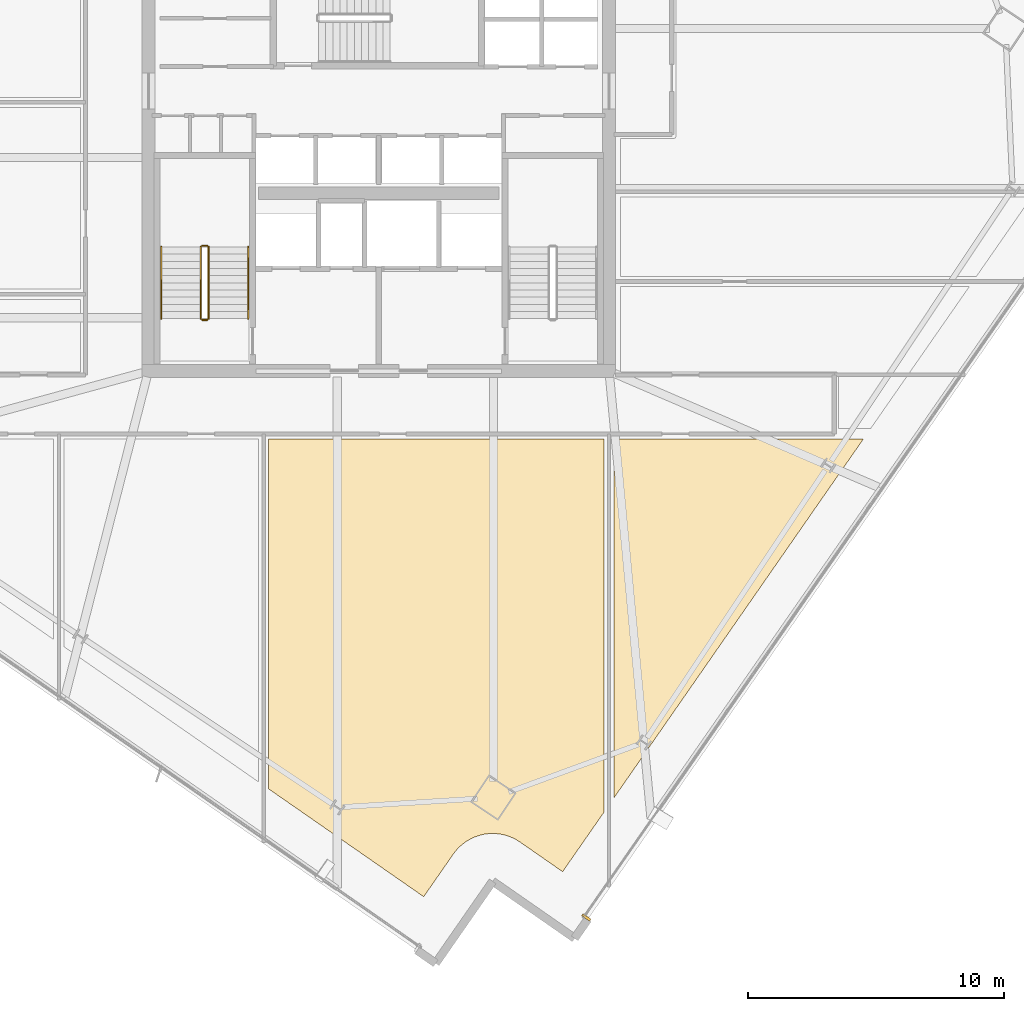
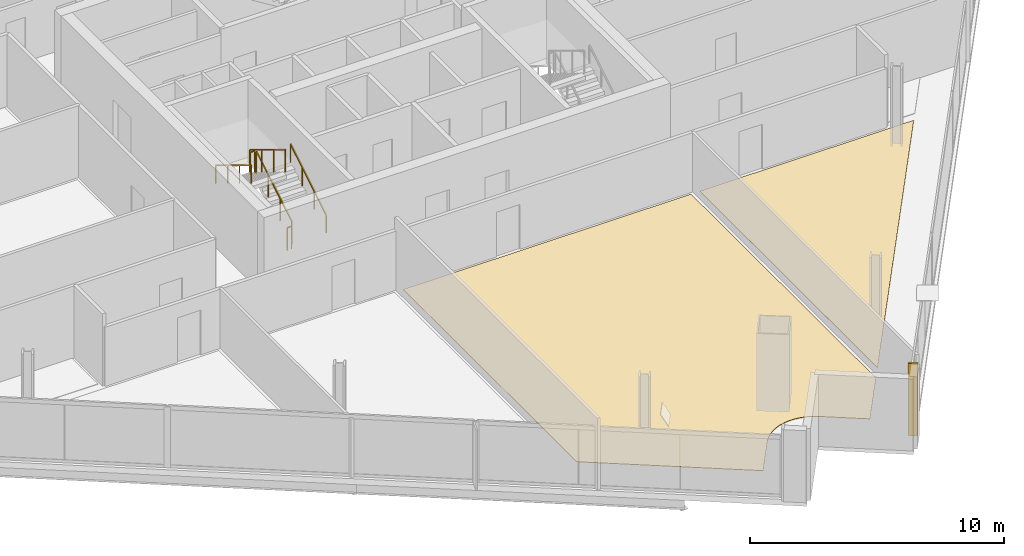
# One storey, part 27 of 30: 6 railings, 3 coverings.
"""IFC4 building model written with IfcOpenShell, lengths in metres."""

import ifcopenshell
import ifcopenshell.guid

model = None  # the IFC model being written
_history = None  # IfcOwnerHistory: only IFC2X3 demands one
_inside = {}  # id of a spatial element -> (the spatial element, [elements in it])
_under = {}  # id of a project, library or spatial element -> (it, [spatial elements below it])
_declared = {}  # id of a project -> (the project, [libraries it declares])
_typed = {}  # id of a type object -> (the type object, [elements of that type])
_made_of = {}  # id of a material, layer set ... -> (it, [elements and type objects made of it])


def new_model(schema):
    """Start an empty IFC model of exactly this schema.

    Asked for "IFC4X3", IfcOpenShell would pick the latest addendum, in which some entities
    have other attributes; the version numbers below select the first issue.
    IFC2X3 requires an IfcOwnerHistory on every rooted entity: one is made here for all.
    """
    global model, _history
    if schema == "IFC4X3":
        model = ifcopenshell.file(schema_version=(4, 3, 0, 0))
    else:
        model = ifcopenshell.file(schema=schema)
    _inside.clear()
    _under.clear()
    _declared.clear()
    _typed.clear()
    _made_of.clear()
    _history = None
    if model.schema == "IFC2X3":
        org = make("IfcOrganization", Name="unknown")
        user = make(
            "IfcPersonAndOrganization",
            ThePerson=make("IfcPerson", FamilyName="unknown"),
            TheOrganization=org,
        )
        app = make(
            "IfcApplication",
            ApplicationDeveloper=org,
            Version="unknown",
            ApplicationFullName="unknown",
            ApplicationIdentifier="unknown",
        )
        _history = make(
            "IfcOwnerHistory",
            OwningUser=user,
            OwningApplication=app,
            ChangeAction="ADDED",
            CreationDate=0,
        )
    return model


def make(cls, **values):
    """One entity of the class cls with the attributes given. An attribute that is None is left unset."""
    return model.create_entity(
        cls, **{name: value for name, value in values.items() if value is not None}
    )


def rooted(cls, **values):
    """An entity with a GlobalId (a new one), such as an element, a storey or a relation."""
    return make(cls, GlobalId=ifcopenshell.guid.new(), OwnerHistory=_history, **values)


def si_unit(unit_type, name, prefix=None):
    """IfcSIUnit, for example si_unit("LENGTHUNIT", "METRE", prefix="MILLI")."""
    return make("IfcSIUnit", UnitType=unit_type, Prefix=prefix, Name=name)


def assignment(units):
    """IfcUnitAssignment: the units of a project."""
    return None if units is None else make("IfcUnitAssignment", Units=units)


def point(xyz):
    """IfcCartesianPoint."""
    return None if xyz is None else make("IfcCartesianPoint", Coordinates=xyz)


def direction(xyz):
    """IfcDirection."""
    return None if xyz is None else make("IfcDirection", DirectionRatios=xyz)


def frame(location, z_axis=None, x_axis=None):
    """IfcAxis2Placement3D, a coordinate frame: its origin and axes. An axis left out is left unset."""
    return make(
        "IfcAxis2Placement3D",
        Location=point(location),
        Axis=direction(z_axis),
        RefDirection=direction(x_axis),
    )


def frame_2d(location, x_axis=None):
    """IfcAxis2Placement2D, a coordinate frame in the plane: its origin and x axis."""
    return make(
        "IfcAxis2Placement2D", Location=point(location), RefDirection=direction(x_axis)
    )


def origin():
    """The frame at (0, 0, 0) with its axes left unset."""
    return frame((0.0, 0.0, 0.0))


def origin_2d():
    """The frame at (0, 0) in the plane with its x axis left unset."""
    return frame_2d((0.0, 0.0))


def place(relative_to, where):
    """IfcLocalPlacement: puts the frame where relative to a parent placement (None: the world)."""
    return make(
        "IfcLocalPlacement", PlacementRelTo=relative_to, RelativePlacement=where
    )


def context(
    kind, dimensions, precision=None, world=None, true_north=None, identifier=None
):
    """IfcGeometricRepresentationContext, for example the 3D "Model" context."""
    return make(
        "IfcGeometricRepresentationContext",
        ContextIdentifier=identifier,
        ContextType=kind,
        CoordinateSpaceDimension=dimensions,
        Precision=precision,
        WorldCoordinateSystem=world,
        TrueNorth=true_north,
    )


def subcontext(parent, identifier, kind, view, scale=None):
    """IfcGeometricRepresentationSubContext, for example "Body" below "Model"."""
    return make(
        "IfcGeometricRepresentationSubContext",
        ContextIdentifier=identifier,
        ContextType=kind,
        ParentContext=parent,
        TargetScale=scale,
        TargetView=view,
    )


def project(units=None, contexts=None):
    """IfcProject with its units and contexts."""
    return rooted(
        "IfcProject",
        Name="project",
        RepresentationContexts=contexts,
        UnitsInContext=assignment(units),
    )


def spatial(cls, under=None, at=None, **own):
    """A site, building, storey or space (cls), placed at a placement, below another one or the project."""
    s = rooted(cls, ObjectPlacement=at, **own)
    if under is not None:
        _under.setdefault(under.id(), (under, []))[1].append(s)
    return s


def polyline(points):
    """IfcPolyline through the points."""
    return make("IfcPolyline", Points=[point(p) for p in points])


def profile(cls, at=None, kind="AREA", **sizes):
    """A parametric profile (cls). Its sizes go by their IFC names, for example OverallWidth=200.0."""
    return make(cls, ProfileType=kind, Position=at, **sizes)


def rectangle(**sizes):
    """IfcRectangleProfileDef."""
    return profile("IfcRectangleProfileDef", **sizes)


def outline(outer, holes=None, kind="AREA"):
    """IfcArbitraryClosedProfileDef: a profile drawn as a closed curve; with holes, ...WithVoids."""
    if holes is None:
        return make("IfcArbitraryClosedProfileDef", ProfileType=kind, OuterCurve=outer)
    return make(
        "IfcArbitraryProfileDefWithVoids",
        ProfileType=kind,
        OuterCurve=outer,
        InnerCurves=holes,
    )


def extrude(swept, where, along, depth):
    """IfcExtrudedAreaSolid: the profile swept, set in the frame where, extruded along a direction by depth."""
    return make(
        "IfcExtrudedAreaSolid",
        SweptArea=swept,
        Position=where,
        ExtrudedDirection=direction(along),
        Depth=depth,
    )


def shape(context_of_items, identifier, shape_type, items):
    """IfcShapeRepresentation: the items that make up one representation, for example the "Body"."""
    return make(
        "IfcShapeRepresentation",
        ContextOfItems=context_of_items,
        RepresentationIdentifier=identifier,
        RepresentationType=shape_type,
        Items=items,
    )


def source(mapping_origin, context_of_items, identifier, shape_type, items):
    """IfcRepresentationMap: a shape defined once, which mapped items show again and again."""
    return make(
        "IfcRepresentationMap",
        MappingOrigin=mapping_origin,
        MappedRepresentation=shape(context_of_items, identifier, shape_type, items),
    )


def transform(
    local_origin,
    x_axis=None,
    y_axis=None,
    z_axis=None,
    scale=None,
    scale2=None,
    scale3=None,
    uniform=True,
):
    """IfcCartesianTransformationOperator3D, or its non-uniform kind. x_axis, y_axis, z_axis: its Axis1, 2, 3."""
    if uniform:
        return make(
            "IfcCartesianTransformationOperator3D",
            Axis1=direction(x_axis),
            Axis2=direction(y_axis),
            LocalOrigin=point(local_origin),
            Scale=scale,
            Axis3=direction(z_axis),
        )
    return make(
        "IfcCartesianTransformationOperator3DnonUniform",
        Axis1=direction(x_axis),
        Axis2=direction(y_axis),
        LocalOrigin=point(local_origin),
        Scale=scale,
        Axis3=direction(z_axis),
        Scale2=scale2,
        Scale3=scale3,
    )


def mapped(mapping_source, mapping_target):
    """IfcMappedItem: shows the shape of a source again, moved by a transform."""
    return make(
        "IfcMappedItem", MappingSource=mapping_source, MappingTarget=mapping_target
    )


def material(Name=None, Category=None):
    """IfcMaterial."""
    return make("IfcMaterial", Name=Name, Category=Category)


def layer(
    of_material, thickness, ventilated=None, Name=None, Category=None, Priority=None
):
    """IfcMaterialLayer: one layer of a wall or slab, of a material (None: an air gap)."""
    return make(
        "IfcMaterialLayer",
        Material=of_material,
        LayerThickness=thickness,
        IsVentilated=ventilated,
        Name=Name,
        Category=Category,
        Priority=Priority,
    )


def layer_set(layers, Name=None):
    """IfcMaterialLayerSet."""
    return make("IfcMaterialLayerSet", MaterialLayers=layers, LayerSetName=Name)


def made_of(thing, what):
    """Note that an element or type object is made of a material, layer set ...; save() writes the relation."""
    if what is not None:
        _made_of.setdefault(what.id(), (what, []))[1].append(thing)
    return thing


def type_object(cls, material=None, **own):
    """A type object (cls), such as IfcWallType, which elements share."""
    return made_of(rooted(cls, **own), material)


def element(
    cls,
    number,
    at=None,
    inside=None,
    cuts=None,
    type_object=None,
    material=None,
    context=None,
    identifier="Body",
    shape_type=None,
    held_by="IfcProductDefinitionShape",
    body=None,
    shapes=None,
    **own,
):
    """One element of the class cls, such as IfcWall. Its Tag is "e" and its number.

    at: its placement. inside: the storey or other place that contains it. cuts: it is an
    opening in that element (IfcRelVoidsElement). A single representation is given by context,
    identifier, shape_type and body (its items); several are given by shapes. held_by: the class
    of the entity that holds the representations. save() writes the other relations.
    """
    e = rooted(cls, Tag="e%d" % number, ObjectPlacement=at, **own)
    if body is not None:
        shapes = [shape(context, identifier, shape_type, body)]
    if shapes is not None:
        e.Representation = make(held_by, Representations=shapes)
    if inside is not None:
        _inside.setdefault(inside.id(), (inside, []))[1].append(e)
    if cuts is not None:
        rooted(
            "IfcRelVoidsElement", RelatingBuildingElement=cuts, RelatedOpeningElement=e
        )
    if type_object is not None:
        _typed.setdefault(type_object.id(), (type_object, []))[1].append(e)
    return made_of(e, material)


def aggregate(whole, parts):
    """IfcRelAggregates: a whole, such as a stair, and the parts it consists of."""
    return rooted("IfcRelAggregates", RelatingObject=whole, RelatedObjects=parts)


def save(model, path):
    """Write the relations noted so far, then the file.

    IfcRelAggregates (storeys below a building ...), IfcRelContainedInSpatialStructure (elements
    in a storey), IfcRelDefinesByType, IfcRelAssociatesMaterial and IfcRelDeclares: one each for
    every whole, place, type object, material and project.
    """
    for whole, parts in _under.values():
        aggregate(whole, parts)
    for where, things in _inside.values():
        rooted(
            "IfcRelContainedInSpatialStructure",
            RelatedElements=things,
            RelatingStructure=where,
        )
    for kind, things in _typed.values():
        rooted("IfcRelDefinesByType", RelatedObjects=things, RelatingType=kind)
    for what, things in _made_of.values():
        rooted("IfcRelAssociatesMaterial", RelatedObjects=things, RelatingMaterial=what)
    for by, libraries in _declared.values():
        rooted("IfcRelDeclares", RelatingContext=by, RelatedDefinitions=libraries)
    model.write(path)


model = new_model("IFC4")

# Units and contexts
model_context = context("Model", 3, precision=1e-05, world=origin(), true_north=direction((0.0, 1.0)))
body_context = subcontext(model_context, "Body", "Model", "MODEL_VIEW")
ifc_project = project(units=[si_unit("LENGTHUNIT", "METRE"), si_unit("AREAUNIT", "SQUARE_METRE"), si_unit("VOLUMEUNIT", "CUBIC_METRE"), si_unit("PLANEANGLEUNIT", "RADIAN"), si_unit("MASSUNIT", "GRAM", prefix="KILO")], contexts=[model_context])

# Site, building, storey
site_placement = place(None, origin())
site = spatial("IfcSite", under=ifc_project, at=site_placement, CompositionType="ELEMENT")
building_placement = place(site_placement, origin())
building = spatial("IfcBuilding", under=site, at=building_placement, Name="Haldenkirk Collegiate Tower", CompositionType="ELEMENT")
storey_placement = place(building_placement, frame((0.0, 0.0, 213.449951171875)))
storey = spatial("IfcBuildingStorey", under=building, at=storey_placement, Name="L53", CompositionType="ELEMENT", Elevation=213.449951171875)

# Coverings
ifc_material_1 = material(Name="Polished collegiate terrazzo", Category="concrete")
ifc_layer_1 = layer(ifc_material_1, 0.02490234375)
ifc_layer_set_1 = layer_set([ifc_layer_1], Name="Polished collegiate terrazzo")
covering_type_1 = type_object("IfcCoveringType", Name="COV-FLOOR-TERRAZZO", PredefinedType="FLOORING", material=ifc_layer_set_1)
covering_1_placement = place(storey_placement, origin())
element("IfcCovering", 1, at=covering_1_placement, inside=storey, type_object=covering_type_1, Name="L53 academic room finish 04", PredefinedType="FLOORING", context=body_context, shape_type="SweptSolid", body=[
    extrude(outline(polyline([(45.199951171875, 1.337158203125), (45.199951171875, 15.35009765625), (54.939208984375, 15.35009765625), (45.199951171875, 1.337158203125)])), origin(), (0.0, 0.0, 1.0), 0.025146484375),
])
ifc_material_2 = material(Name="Engineered collegiate oak acoustic flooring", Category="wood")
ifc_layer_2 = layer(ifc_material_2, 0.02197265625)
ifc_layer_set_2 = layer_set([ifc_layer_2], Name="Engineered collegiate oak acoustic flooring")
covering_type_2 = type_object("IfcCoveringType", Name="COV-FLOOR-TIMBER", PredefinedType="FLOORING", material=ifc_layer_set_2)
covering_2_placement = place(storey_placement, origin())
element("IfcCovering", 2, at=covering_2_placement, inside=storey, type_object=covering_type_2, Name="L53 academic room finish 03", PredefinedType="FLOORING", context=body_context, shape_type="SweptSolid", body=[
    extrude(outline(polyline([(40.856201171875, -0.11181640625), (40.844482421875, -0.109130859375), (40.67529296875, -0.080810546875), (40.66357421875, -0.07958984375), (40.4921875, -0.068115234375), (40.48046875, -0.06787109375), (40.30859375, -0.072998046875), (40.297119140625, -0.073974609375), (40.126708984375, -0.09619140625), (40.114990234375, -0.09814453125), (39.94775390625, -0.13671875), (39.936279296875, -0.139892578125), (39.773681640625, -0.19482421875), (39.7626953125, -0.19921875), (39.606201171875, -0.269775390625), (39.595703125, -0.275146484375), (39.44677734375, -0.36083984375), (39.43701171875, -0.3671875), (39.297119140625, -0.466796875), (39.287841796875, -0.47412109375), (39.158447265625, -0.587158203125), (39.150146484375, -0.59521484375), (39.032470703125, -0.720458984375), (39.024658203125, -0.7294921875), (38.919921875, -0.865478515625), (38.91650390625, -0.8701171875), (37.7578125, -2.537109375), (31.699951171875, 1.673095703125), (31.699951171875, 15.35009765625), (44.800048828125, 15.35009765625), (44.800048828125, 0.76171875), (43.18603515625, -1.560302734375), (41.519287109375, -0.40185546875), (41.514404296875, -0.398681640625), (41.36865234375, -0.3076171875), (41.3583984375, -0.302001953125), (41.204345703125, -0.2255859375), (41.193603515625, -0.220947265625), (41.033203125, -0.16015625), (41.02197265625, -0.156494140625), (40.856201171875, -0.11181640625)])), origin(), (0.0, 0.0, 1.0), 0.02197265625),
])

# Railings
ifc_material_3 = material(Name="Painted architectural tubular steel", Category="steel")
railing_type_1 = type_object("IfcRailingType", Name="RLG-STAIR-GUARD-1100", PredefinedType="BALUSTRADE", material=ifc_material_3)
railing_1_placement = place(storey_placement, frame((29.35009765625, 20.050048828125, 0.17041015625)))
element("IfcRailing", 3, at=railing_1_placement, inside=storey, type_object=railing_type_1, Name="L53 ST-1 stair guard 1", PredefinedType="BALUSTRADE", context=body_context, shape_type="SweptSolid", body=[
    extrude(rectangle(XDim=0.048095703125, YDim=0.048095703125, at=origin_2d()), frame((0.0, 0.0, 1.076171875), z_axis=(0.0, 0.854169791009, 0.51999420009), x_axis=(-1.0, 0.0, 0.0)), (0.0, 0.0, 1.0), 3.278076171875),
    extrude(rectangle(XDim=0.0419921875, YDim=0.0419921875, at=origin_2d()), origin(), (0.0, 0.0, 1.0), 1.052001953125),
    extrude(rectangle(XDim=0.0419921875, YDim=0.0419921875, at=origin_2d()), frame((0.0, 0.933349609375, 0.568115234375)), (0.0, 0.0, 1.0), 1.052001953125),
    extrude(rectangle(XDim=0.0419921875, YDim=0.0419921875, at=origin_2d()), frame((0.0, 1.86669921875, 1.136474609375)), (0.0, 0.0, 1.0), 1.052001953125),
    extrude(rectangle(XDim=0.0419921875, YDim=0.0419921875, at=origin_2d()), frame((0.0, 2.800048828125, 1.70458984375)), (0.0, 0.0, 1.0), 1.052001953125),
])
railing_2_placement = place(storey_placement, frame((29.300048828125, 22.89990234375, 1.875)))
element("IfcRailing", 4, at=railing_2_placement, inside=storey, type_object=railing_type_1, Name="L53 ST-1 stair guard 2", PredefinedType="BALUSTRADE", context=body_context, shape_type="SweptSolid", body=[
    extrude(rectangle(XDim=0.048095703125, YDim=0.048095703125, at=origin_2d()), frame((0.0, 0.0, 1.076171875), z_axis=(-1.0, 0.0, 0.0), x_axis=(0.0, -1.0, 0.0)), (0.0, 0.0, 1.0), 0.199951171875),
    extrude(rectangle(XDim=0.0419921875, YDim=0.0419921875, at=origin_2d()), origin(), (0.0, 0.0, 1.0), 1.052001953125),
    extrude(rectangle(XDim=0.0419921875, YDim=0.0419921875, at=origin_2d()), frame((-0.199951171875, 0.0, 0.0)), (0.0, 0.0, 1.0), 1.052001953125),
])
railing_3_placement = place(storey_placement, frame((29.050048828125, 22.85009765625, 2.04541015625)))
element("IfcRailing", 5, at=railing_3_placement, inside=storey, type_object=railing_type_1, Name="L53 ST-1 stair guard 3", PredefinedType="BALUSTRADE", context=body_context, shape_type="SweptSolid", body=[
    extrude(rectangle(XDim=0.048095703125, YDim=0.048095703125, at=origin_2d()), frame((0.0, 0.0, 1.076171875), z_axis=(0.0, -0.854169791009, 0.51999420009), x_axis=(1.0, 0.0, 0.0)), (0.0, 0.0, 1.0), 3.278076171875),
    extrude(rectangle(XDim=0.0419921875, YDim=0.0419921875, at=origin_2d()), origin(), (0.0, 0.0, 1.0), 1.052001953125),
    extrude(rectangle(XDim=0.0419921875, YDim=0.0419921875, at=origin_2d()), frame((0.0, -0.933349609375, 0.568115234375)), (0.0, 0.0, 1.0), 1.052001953125),
    extrude(rectangle(XDim=0.0419921875, YDim=0.0419921875, at=origin_2d()), frame((0.0, -1.86669921875, 1.136474609375)), (0.0, 0.0, 1.0), 1.052001953125),
    extrude(rectangle(XDim=0.0419921875, YDim=0.0419921875, at=origin_2d()), frame((0.0, -2.800048828125, 1.70458984375)), (0.0, 0.0, 1.0), 1.052001953125),
])
railing_4_placement = place(storey_placement, frame((29.300048828125, 20.0, 0.0)))
element("IfcRailing", 6, at=railing_4_placement, inside=storey, type_object=railing_type_1, Name="L53 ST-1 stair guard 4", PredefinedType="BALUSTRADE", context=body_context, shape_type="SweptSolid", body=[
    extrude(rectangle(XDim=0.048095703125, YDim=0.048095703125, at=origin_2d()), frame((0.0, 0.0, 1.076171875), z_axis=(-1.0, 0.0, 0.0), x_axis=(0.0, -1.0, 0.0)), (0.0, 0.0, 1.0), 0.199951171875),
    extrude(rectangle(XDim=0.0419921875, YDim=0.0419921875, at=origin_2d()), origin(), (0.0, 0.0, 1.0), 1.052001953125),
    extrude(rectangle(XDim=0.0419921875, YDim=0.0419921875, at=origin_2d()), frame((-0.199951171875, 0.0, 0.0)), (0.0, 0.0, 1.0), 1.052001953125),
])
railing_type_2 = type_object("IfcRailingType", Name="RLG-STAIR-HANDRAIL-900", PredefinedType="HANDRAIL", material=ifc_material_3)
railing_5_placement = place(storey_placement, frame((30.89990234375, 20.050048828125, 0.17041015625)))
element("IfcRailing", 7, at=railing_5_placement, inside=storey, type_object=railing_type_2, Name="L53 ST-1 stair handrail 1", PredefinedType="HANDRAIL", context=body_context, shape_type="SweptSolid", body=[
    extrude(rectangle(XDim=0.048095703125, YDim=0.048095703125, at=origin_2d()), frame((0.0, 0.0, 0.8759765625), z_axis=(0.0, 0.854169791009, 0.51999420009), x_axis=(-1.0, 0.0, 0.0)), (0.0, 0.0, 1.0), 3.278076171875),
    extrude(rectangle(XDim=0.0419921875, YDim=0.0419921875, at=origin_2d()), origin(), (0.0, 0.0, 1.0), 0.851806640625),
    extrude(rectangle(XDim=0.0419921875, YDim=0.0419921875, at=origin_2d()), frame((0.0, 0.933349609375, 0.568115234375)), (0.0, 0.0, 1.0), 0.851806640625),
    extrude(rectangle(XDim=0.0419921875, YDim=0.0419921875, at=origin_2d()), frame((0.0, 1.86669921875, 1.136474609375)), (0.0, 0.0, 1.0), 0.851806640625),
    extrude(rectangle(XDim=0.0419921875, YDim=0.0419921875, at=origin_2d()), frame((0.0, 2.800048828125, 1.70458984375)), (0.0, 0.0, 1.0), 0.851806640625),
])
railing_6_placement = place(storey_placement, frame((27.5, 22.85009765625, 2.04541015625)))
element("IfcRailing", 8, at=railing_6_placement, inside=storey, type_object=railing_type_2, Name="L53 ST-1 stair handrail 2", PredefinedType="HANDRAIL", context=body_context, shape_type="SweptSolid", body=[
    extrude(rectangle(XDim=0.048095703125, YDim=0.048095703125, at=origin_2d()), frame((0.0, 0.0, 0.8759765625), z_axis=(0.0, -0.854169791009, 0.51999420009), x_axis=(1.0, 0.0, 0.0)), (0.0, 0.0, 1.0), 3.278076171875),
    extrude(rectangle(XDim=0.0419921875, YDim=0.0419921875, at=origin_2d()), origin(), (0.0, 0.0, 1.0), 0.851806640625),
    extrude(rectangle(XDim=0.0419921875, YDim=0.0419921875, at=origin_2d()), frame((0.0, -0.933349609375, 0.568115234375)), (0.0, 0.0, 1.0), 0.851806640625),
    extrude(rectangle(XDim=0.0419921875, YDim=0.0419921875, at=origin_2d()), frame((0.0, -1.86669921875, 1.136474609375)), (0.0, 0.0, 1.0), 0.851806640625),
    extrude(rectangle(XDim=0.0419921875, YDim=0.0419921875, at=origin_2d()), frame((0.0, -2.800048828125, 1.70458984375)), (0.0, 0.0, 1.0), 0.851806640625),
])

# Covering
ifc_material_4 = material(Name="Anodised architectural bronze aluminium", Category="aluminium")
ifc_layer_3 = layer(ifc_material_4, 0.06005859375)
ifc_layer_set_3 = layer_set([ifc_layer_3], Name="Anodised architectural bronze aluminium")
covering_type_3 = type_object("IfcCoveringType", Name="COV-CLAD-BRONZE-60", PredefinedType="CLADDING", material=ifc_layer_set_3)
shared_shape = source(origin(), body_context, "Body", "SweptSolid", [
    extrude(rectangle(XDim=0.10009765625, YDim=0.3798828125, at=origin_2d()), origin(), (0.0, 0.0, 1.0), 3.469970703125),
])
covering_3_placement = place(storey_placement, frame((44.111083984375, -3.34814453125, 0.0), z_axis=(0.0, 0.0, 1.0), x_axis=(-0.570713567684, -0.821149209134, 0.0)))
element("IfcCovering", 9, at=covering_3_placement, inside=storey, type_object=covering_type_3, Name="L53 recessed curtain-wall bronze jamb closure SJR", PredefinedType="CLADDING", context=body_context, shape_type="MappedRepresentation", body=[
    mapped(shared_shape, transform((0.0, 0.0, 0.0), x_axis=(1.0, 0.0, 0.0), y_axis=(0.0, 1.0, 0.0), z_axis=(0.0, 0.0, 1.0), scale=1.0)),
])

save(model, "model.ifc")
